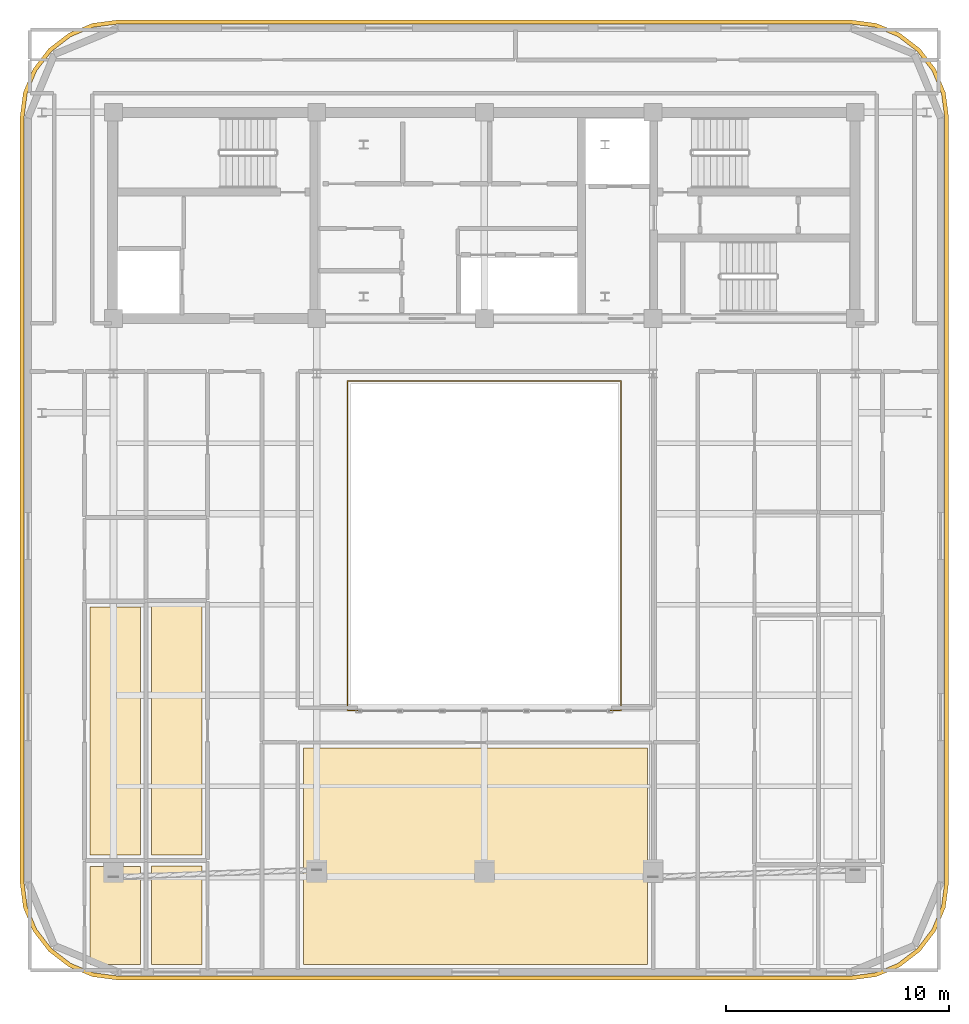
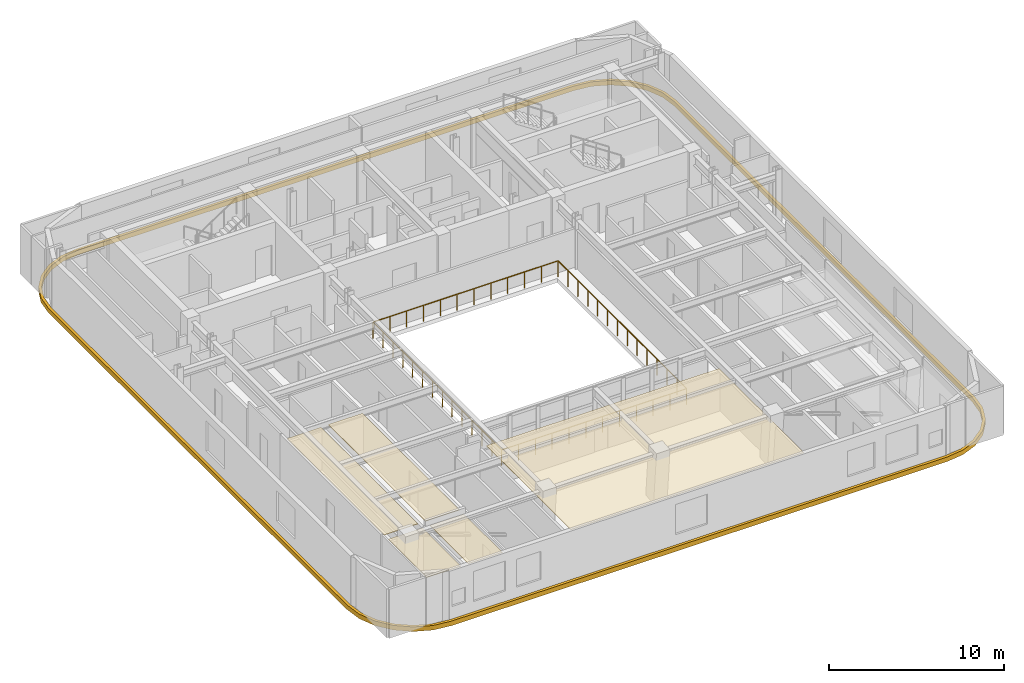
# One storey, part 11 of 13: 6 coverings, 1 railing.
"""IFC4 building model written with IfcOpenShell, lengths in metres."""

from ifc_helpers import new_model, si_unit, direction, frame, origin, origin_2d, place, context, subcontext, project, spatial, polyline, rectangle, outline, extrude, material, layer, layer_set, type_object, element, save


model = new_model("IFC4")

# Units and contexts
model_context = context("Model", 3, precision=1e-05, world=origin(), true_north=direction((0.0, 1.0)))
body_context = subcontext(model_context, "Body", "Model", "MODEL_VIEW")
ifc_project = project(units=[si_unit("LENGTHUNIT", "METRE"), si_unit("AREAUNIT", "SQUARE_METRE"), si_unit("VOLUMEUNIT", "CUBIC_METRE"), si_unit("PLANEANGLEUNIT", "RADIAN"), si_unit("MASSUNIT", "GRAM", prefix="KILO")], contexts=[model_context])

# Site, building, storey
site_placement = place(None, origin())
site = spatial("IfcSite", under=ifc_project, at=site_placement, CompositionType="ELEMENT")
building_placement = place(site_placement, origin())
building = spatial("IfcBuilding", under=site, at=building_placement, Name="Zarnavel Station Tower", CompositionType="ELEMENT")
storey_placement = place(building_placement, frame((0.0, 0.0, 254.699951171875)))
storey = spatial("IfcBuildingStorey", under=building, at=storey_placement, Name="L69", CompositionType="ELEMENT", Elevation=254.699951171875)

# Coverings
ifc_material_1 = material(Name="Perforated Gypsum and Mineral-Wool Acoustic Ceiling", Category="concrete")
ifc_layer = layer(ifc_material_1, 0.0400390625)
ifc_layer_set = layer_set([ifc_layer], Name="COV_CEIL_ACOUSTIC")
covering_type_1 = type_object("IfcCoveringType", Name="COV_CEIL_ACOUSTIC", PredefinedType="CEILING", material=ifc_layer_set)
covering_1_placement = place(storey_placement, frame((0.0, 0.0, 3.10009765625)))
element("IfcCovering", 1, at=covering_1_placement, inside=storey, type_object=covering_type_1, Name="L69 UW1B1 Acoustic Ceiling", PredefinedType="CEILING", context=body_context, shape_type="SweptSolid", body=[
    extrude(outline(polyline([(11.154052734375, -1.090087890625), (13.409912109375, -1.090087890625), (13.409912109375, 3.30810546875), (11.154052734375, 3.30810546875), (11.154052734375, -1.090087890625)])), origin(), (0.0, 0.0, 1.0), 0.0400390625),
])
covering_2_placement = place(storey_placement, frame((0.0, 0.0, 3.10009765625)))
element("IfcCovering", 2, at=covering_2_placement, inside=storey, type_object=covering_type_1, Name="L69 UW1KT Acoustic Ceiling", PredefinedType="CEILING", context=body_context, shape_type="SweptSolid", body=[
    extrude(outline(polyline([(11.154052734375, 3.80810546875), (13.409912109375, 3.80810546875), (13.409912109375, 14.9189453125), (11.154052734375, 14.9189453125), (11.154052734375, 3.80810546875)])), origin(), (0.0, 0.0, 1.0), 0.0400390625),
])
covering_3_placement = place(storey_placement, frame((0.0, 0.0, 3.10009765625)))
element("IfcCovering", 3, at=covering_3_placement, inside=storey, type_object=covering_type_1, Name="L69 UW2B1 Acoustic Ceiling", PredefinedType="CEILING", context=body_context, shape_type="SweptSolid", body=[
    extrude(outline(polyline([(13.909912109375, -1.090087890625), (16.160888671875, -1.090087890625), (16.160888671875, 3.31689453125), (13.909912109375, 3.31689453125), (13.909912109375, -1.090087890625)])), origin(), (0.0, 0.0, 1.0), 0.0400390625),
])
covering_4_placement = place(storey_placement, frame((0.0, 0.0, 3.10009765625)))
element("IfcCovering", 4, at=covering_4_placement, inside=storey, type_object=covering_type_1, Name="L69 UW2KT Acoustic Ceiling", PredefinedType="CEILING", context=body_context, shape_type="SweptSolid", body=[
    extrude(outline(polyline([(13.909912109375, 3.81689453125), (16.160888671875, 3.81689453125), (16.160888671875, 14.948974609375), (13.909912109375, 14.948974609375), (13.909912109375, 3.81689453125)])), origin(), (0.0, 0.0, 1.0), 0.0400390625),
])
covering_5_placement = place(storey_placement, frame((0.0, 0.0, 3.10009765625)))
element("IfcCovering", 5, at=covering_5_placement, inside=storey, type_object=covering_type_1, Name="L69 L69OBS Acoustic Ceiling", PredefinedType="CEILING", context=body_context, shape_type="SweptSolid", body=[
    extrude(outline(polyline([(20.699951171875, -1.090087890625), (36.10009765625, -1.090087890625), (36.10009765625, 8.60009765625), (20.699951171875, 8.60009765625), (20.699951171875, -1.090087890625)])), origin(), (0.0, 0.0, 1.0), 0.0400390625),
])
ifc_material_2 = material(Name="Precast concrete C45/55 (Pale Travertine Slab Band)", Category="masonry")
covering_type_2 = type_object("IfcCoveringType", Name="COV_TRAVERTINE_BAND", PredefinedType="CLADDING", material=ifc_material_2)
covering_6_placement = place(storey_placement, frame((0.0, 0.0, -0.260009765625)))
element("IfcCovering", 6, at=covering_6_placement, inside=storey, type_object=covering_type_2, Name="L69 Pale Travertine Slab-Edge Band", PredefinedType="CLADDING", context=body_context, shape_type="SweptSolid", body=[
    extrude(outline(polyline([(45.199951171875, -1.780029296875), (46.33349609375, -1.630859375), (47.389892578125, -1.193115234375), (48.297119140625, -0.4970703125), (48.9931640625, 0.409912109375), (49.430908203125, 1.46630859375), (49.580078125, 2.60009765625), (49.580078125, 36.800048828125), (49.430908203125, 37.93359375), (48.9931640625, 38.989990234375), (48.297119140625, 39.897216796875), (47.389892578125, 40.59326171875), (46.33349609375, 41.03076171875), (45.199951171875, 41.179931640625), (12.39990234375, 41.179931640625), (11.266357421875, 41.03076171875), (10.2099609375, 40.59326171875), (9.302978515625, 39.897216796875), (8.606689453125, 38.989990234375), (8.169189453125, 37.93359375), (8.02001953125, 36.800048828125), (8.02001953125, 2.60009765625), (8.169189453125, 1.46630859375), (8.606689453125, 0.409912109375), (9.302978515625, -0.4970703125), (10.2099609375, -1.193115234375), (11.266357421875, -1.630859375), (12.39990234375, -1.780029296875), (45.199951171875, -1.780029296875)]), holes=[polyline([(45.199951171875, -1.60009765625), (46.287109375, -1.456787109375), (47.300048828125, -1.037353515625), (48.169921875, -0.369873046875), (48.83740234375, 0.5), (49.2568359375, 1.512939453125), (49.39990234375, 2.60009765625), (49.39990234375, 36.800048828125), (49.2568359375, 37.886962890625), (48.83740234375, 38.89990234375), (48.169921875, 39.769775390625), (47.300048828125, 40.437255859375), (46.287109375, 40.85693359375), (45.199951171875, 41.0), (12.39990234375, 41.0), (11.31298828125, 40.85693359375), (10.300048828125, 40.437255859375), (9.43017578125, 39.769775390625), (8.7626953125, 38.89990234375), (8.343017578125, 37.886962890625), (8.199951171875, 36.800048828125), (8.199951171875, 2.60009765625), (8.343017578125, 1.512939453125), (8.7626953125, 0.5), (9.43017578125, -0.369873046875), (10.300048828125, -1.037353515625), (11.31298828125, -1.456787109375), (12.39990234375, -1.60009765625), (45.199951171875, -1.60009765625)])]), origin(), (0.0, 0.0, 1.0), 0.320068359375),
])

# Railing
ifc_material_3 = material(Name="Painted Steel S355J2 Balustrade", Category="steel")
railing_type = type_object("IfcRailingType", Name="GR_INT_1150", PredefinedType="GUARDRAIL", material=ifc_material_3)
railing_placement = place(storey_placement, frame((22.679931640625, 10.280029296875, 0.0)))
element("IfcRailing", 7, at=railing_placement, inside=storey, type_object=railing_type, Name="L69 Atrium Void Guardrail", PredefinedType="GUARDRAIL", context=body_context, shape_type="SweptSolid", body=[
    extrude(rectangle(XDim=0.048095703125, YDim=0.048095703125, at=origin_2d()), frame((0.001953125, 0.0, 1.1259765625), z_axis=(1.0, 0.0, 0.0), x_axis=(0.0, 1.0, 0.0)), (0.0, 0.0, 1.0), 12.236083984375),
    extrude(rectangle(XDim=0.048095703125, YDim=0.048095703125, at=origin_2d()), frame((12.239990234375, 0.001953125, 1.1259765625), z_axis=(0.0, 1.0, 0.0), x_axis=(-1.0, 0.0, 0.0)), (0.0, 0.0, 1.0), 14.736083984375),
    extrude(rectangle(XDim=0.048095703125, YDim=0.048095703125, at=origin_2d()), frame((12.238037109375, 14.739990234375, 1.1259765625), z_axis=(-1.0, 0.0, 0.0), x_axis=(0.0, -1.0, 0.0)), (0.0, 0.0, 1.0), 12.236083984375),
    extrude(rectangle(XDim=0.048095703125, YDim=0.048095703125, at=origin_2d()), frame((0.0, 14.738037109375, 1.1259765625), z_axis=(0.0, -1.0, 0.0), x_axis=(1.0, 0.0, 0.0)), (0.0, 0.0, 1.0), 14.736083984375),
    extrude(rectangle(XDim=0.0419921875, YDim=0.0419921875, at=origin_2d()), origin(), (0.0, 0.0, 1.0), 1.101806640625),
    extrude(rectangle(XDim=0.0419921875, YDim=0.0419921875, at=origin_2d()), frame((1.11279296875, 0.0, 0.0)), (0.0, 0.0, 1.0), 1.101806640625),
    extrude(rectangle(XDim=0.0419921875, YDim=0.0419921875, at=origin_2d()), frame((2.225341796875, 0.0, 0.0)), (0.0, 0.0, 1.0), 1.101806640625),
    extrude(rectangle(XDim=0.0419921875, YDim=0.0419921875, at=origin_2d()), frame((3.338134765625, 0.0, 0.0)), (0.0, 0.0, 1.0), 1.101806640625),
    extrude(rectangle(XDim=0.0419921875, YDim=0.0419921875, at=origin_2d()), frame((4.450927734375, 0.0, 0.0)), (0.0, 0.0, 1.0), 1.101806640625),
    extrude(rectangle(XDim=0.0419921875, YDim=0.0419921875, at=origin_2d()), frame((5.563720703125, 0.0, 0.0)), (0.0, 0.0, 1.0), 1.101806640625),
    extrude(rectangle(XDim=0.0419921875, YDim=0.0419921875, at=origin_2d()), frame((6.67626953125, 0.0, 0.0)), (0.0, 0.0, 1.0), 1.101806640625),
    extrude(rectangle(XDim=0.0419921875, YDim=0.0419921875, at=origin_2d()), frame((7.7890625, 0.0, 0.0)), (0.0, 0.0, 1.0), 1.101806640625),
    extrude(rectangle(XDim=0.0419921875, YDim=0.0419921875, at=origin_2d()), frame((8.90185546875, 0.0, 0.0)), (0.0, 0.0, 1.0), 1.101806640625),
    extrude(rectangle(XDim=0.0419921875, YDim=0.0419921875, at=origin_2d()), frame((10.0146484375, 0.0, 0.0)), (0.0, 0.0, 1.0), 1.101806640625),
    extrude(rectangle(XDim=0.0419921875, YDim=0.0419921875, at=origin_2d()), frame((11.127197265625, 0.0, 0.0)), (0.0, 0.0, 1.0), 1.101806640625),
    extrude(rectangle(XDim=0.0419921875, YDim=0.0419921875, at=origin_2d()), frame((12.239990234375, 0.0, 0.0)), (0.0, 0.0, 1.0), 1.101806640625),
    extrude(rectangle(XDim=0.0419921875, YDim=0.0419921875, at=origin_2d()), frame((12.239990234375, 1.1337890625, 0.0)), (0.0, 0.0, 1.0), 1.101806640625),
    extrude(rectangle(XDim=0.0419921875, YDim=0.0419921875, at=origin_2d()), frame((12.239990234375, 2.267578125, 0.0)), (0.0, 0.0, 1.0), 1.101806640625),
    extrude(rectangle(XDim=0.0419921875, YDim=0.0419921875, at=origin_2d()), frame((12.239990234375, 3.401611328125, 0.0)), (0.0, 0.0, 1.0), 1.101806640625),
    extrude(rectangle(XDim=0.0419921875, YDim=0.0419921875, at=origin_2d()), frame((12.239990234375, 4.535400390625, 0.0)), (0.0, 0.0, 1.0), 1.101806640625),
    extrude(rectangle(XDim=0.0419921875, YDim=0.0419921875, at=origin_2d()), frame((12.239990234375, 5.669189453125, 0.0)), (0.0, 0.0, 1.0), 1.101806640625),
    extrude(rectangle(XDim=0.0419921875, YDim=0.0419921875, at=origin_2d()), frame((12.239990234375, 6.802978515625, 0.0)), (0.0, 0.0, 1.0), 1.101806640625),
    extrude(rectangle(XDim=0.0419921875, YDim=0.0419921875, at=origin_2d()), frame((12.239990234375, 7.93701171875, 0.0)), (0.0, 0.0, 1.0), 1.101806640625),
    extrude(rectangle(XDim=0.0419921875, YDim=0.0419921875, at=origin_2d()), frame((12.239990234375, 9.07080078125, 0.0)), (0.0, 0.0, 1.0), 1.101806640625),
    extrude(rectangle(XDim=0.0419921875, YDim=0.0419921875, at=origin_2d()), frame((12.239990234375, 10.20458984375, 0.0)), (0.0, 0.0, 1.0), 1.101806640625),
    extrude(rectangle(XDim=0.0419921875, YDim=0.0419921875, at=origin_2d()), frame((12.239990234375, 11.33837890625, 0.0)), (0.0, 0.0, 1.0), 1.101806640625),
    extrude(rectangle(XDim=0.0419921875, YDim=0.0419921875, at=origin_2d()), frame((12.239990234375, 12.472412109375, 0.0)), (0.0, 0.0, 1.0), 1.101806640625),
    extrude(rectangle(XDim=0.0419921875, YDim=0.0419921875, at=origin_2d()), frame((12.239990234375, 13.606201171875, 0.0)), (0.0, 0.0, 1.0), 1.101806640625),
    extrude(rectangle(XDim=0.0419921875, YDim=0.0419921875, at=origin_2d()), frame((12.239990234375, 14.739990234375, 0.0)), (0.0, 0.0, 1.0), 1.101806640625),
    extrude(rectangle(XDim=0.0419921875, YDim=0.0419921875, at=origin_2d()), frame((11.127197265625, 14.739990234375, 0.0)), (0.0, 0.0, 1.0), 1.101806640625),
    extrude(rectangle(XDim=0.0419921875, YDim=0.0419921875, at=origin_2d()), frame((10.0146484375, 14.739990234375, 0.0)), (0.0, 0.0, 1.0), 1.101806640625),
    extrude(rectangle(XDim=0.0419921875, YDim=0.0419921875, at=origin_2d()), frame((8.90185546875, 14.739990234375, 0.0)), (0.0, 0.0, 1.0), 1.101806640625),
    extrude(rectangle(XDim=0.0419921875, YDim=0.0419921875, at=origin_2d()), frame((7.7890625, 14.739990234375, 0.0)), (0.0, 0.0, 1.0), 1.101806640625),
    extrude(rectangle(XDim=0.0419921875, YDim=0.0419921875, at=origin_2d()), frame((6.67626953125, 14.739990234375, 0.0)), (0.0, 0.0, 1.0), 1.101806640625),
    extrude(rectangle(XDim=0.0419921875, YDim=0.0419921875, at=origin_2d()), frame((5.563720703125, 14.739990234375, 0.0)), (0.0, 0.0, 1.0), 1.101806640625),
    extrude(rectangle(XDim=0.0419921875, YDim=0.0419921875, at=origin_2d()), frame((4.450927734375, 14.739990234375, 0.0)), (0.0, 0.0, 1.0), 1.101806640625),
    extrude(rectangle(XDim=0.0419921875, YDim=0.0419921875, at=origin_2d()), frame((3.338134765625, 14.739990234375, 0.0)), (0.0, 0.0, 1.0), 1.101806640625),
    extrude(rectangle(XDim=0.0419921875, YDim=0.0419921875, at=origin_2d()), frame((2.225341796875, 14.739990234375, 0.0)), (0.0, 0.0, 1.0), 1.101806640625),
    extrude(rectangle(XDim=0.0419921875, YDim=0.0419921875, at=origin_2d()), frame((1.11279296875, 14.739990234375, 0.0)), (0.0, 0.0, 1.0), 1.101806640625),
    extrude(rectangle(XDim=0.0419921875, YDim=0.0419921875, at=origin_2d()), frame((0.0, 14.739990234375, 0.0)), (0.0, 0.0, 1.0), 1.101806640625),
    extrude(rectangle(XDim=0.0419921875, YDim=0.0419921875, at=origin_2d()), frame((0.0, 13.606201171875, 0.0)), (0.0, 0.0, 1.0), 1.101806640625),
    extrude(rectangle(XDim=0.0419921875, YDim=0.0419921875, at=origin_2d()), frame((0.0, 12.472412109375, 0.0)), (0.0, 0.0, 1.0), 1.101806640625),
    extrude(rectangle(XDim=0.0419921875, YDim=0.0419921875, at=origin_2d()), frame((0.0, 11.33837890625, 0.0)), (0.0, 0.0, 1.0), 1.101806640625),
    extrude(rectangle(XDim=0.0419921875, YDim=0.0419921875, at=origin_2d()), frame((0.0, 10.20458984375, 0.0)), (0.0, 0.0, 1.0), 1.101806640625),
    extrude(rectangle(XDim=0.0419921875, YDim=0.0419921875, at=origin_2d()), frame((0.0, 9.07080078125, 0.0)), (0.0, 0.0, 1.0), 1.101806640625),
    extrude(rectangle(XDim=0.0419921875, YDim=0.0419921875, at=origin_2d()), frame((0.0, 7.93701171875, 0.0)), (0.0, 0.0, 1.0), 1.101806640625),
    extrude(rectangle(XDim=0.0419921875, YDim=0.0419921875, at=origin_2d()), frame((0.0, 6.802978515625, 0.0)), (0.0, 0.0, 1.0), 1.101806640625),
    extrude(rectangle(XDim=0.0419921875, YDim=0.0419921875, at=origin_2d()), frame((0.0, 5.669189453125, 0.0)), (0.0, 0.0, 1.0), 1.101806640625),
    extrude(rectangle(XDim=0.0419921875, YDim=0.0419921875, at=origin_2d()), frame((0.0, 4.535400390625, 0.0)), (0.0, 0.0, 1.0), 1.101806640625),
    extrude(rectangle(XDim=0.0419921875, YDim=0.0419921875, at=origin_2d()), frame((0.0, 3.401611328125, 0.0)), (0.0, 0.0, 1.0), 1.101806640625),
    extrude(rectangle(XDim=0.0419921875, YDim=0.0419921875, at=origin_2d()), frame((0.0, 2.267578125, 0.0)), (0.0, 0.0, 1.0), 1.101806640625),
    extrude(rectangle(XDim=0.0419921875, YDim=0.0419921875, at=origin_2d()), frame((0.0, 1.1337890625, 0.0)), (0.0, 0.0, 1.0), 1.101806640625),
])

save(model, "model.ifc")
